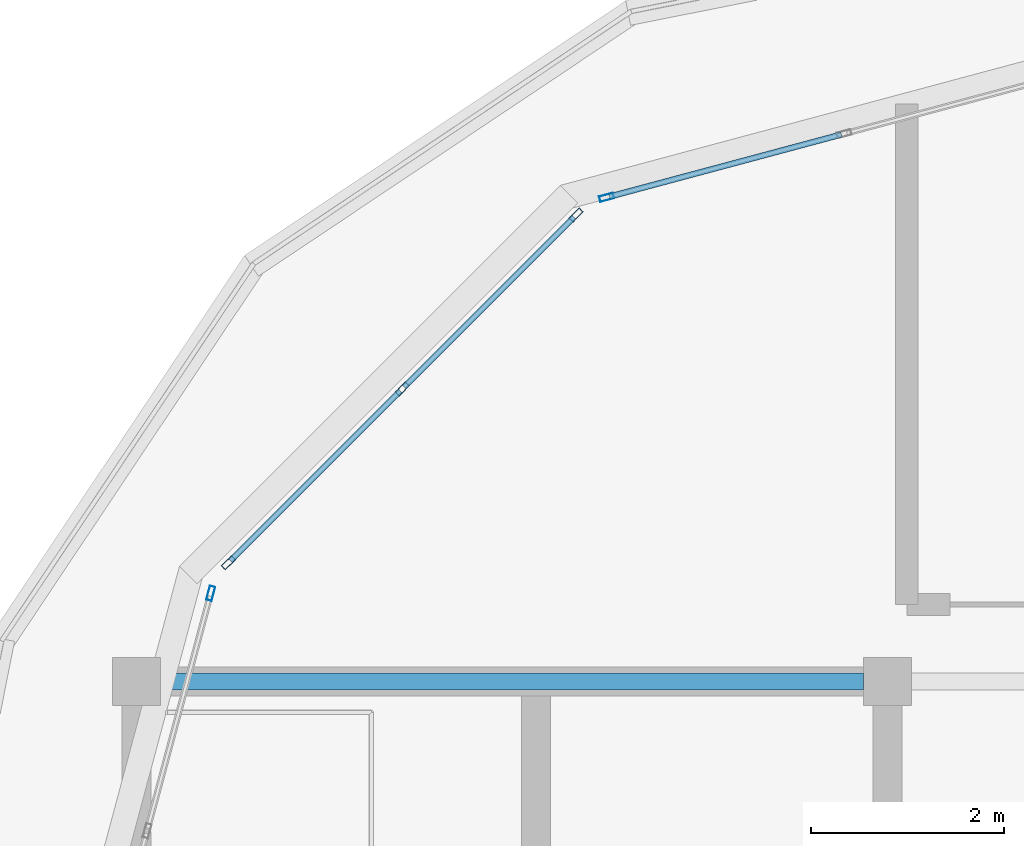
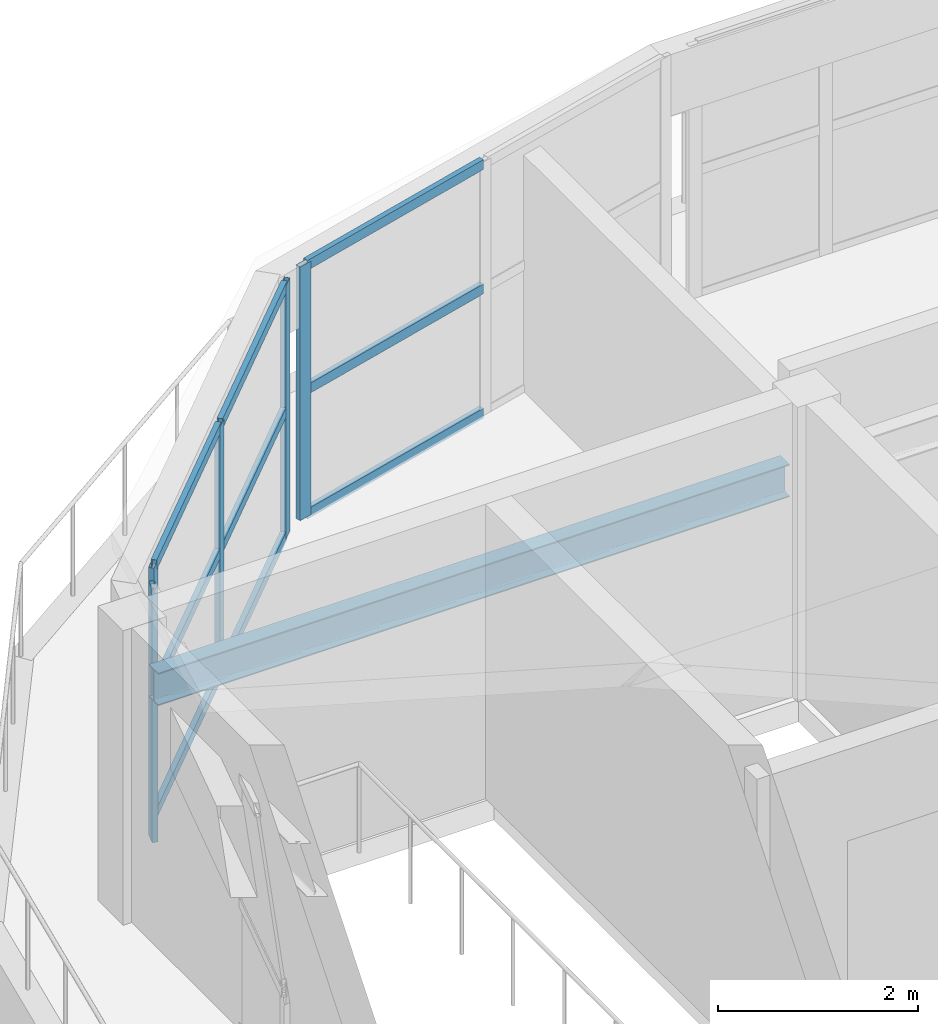
# One storey, part 9 of 15: 14 members, 1 beam, 3 elements without a shape of their own.
"""IFC4 building model written with IfcOpenShell, lengths in metres."""

from ifc_helpers import new_model, si_unit, direction, frame, origin, origin_2d, place, context, subcontext, project, spatial, hollow_rectangle, i_section, extrude, material, layer, layer_set, material_profile, profile_set, type_object, element, aggregate, save


model = new_model("IFC4")

# Units and contexts
model_context = context("Model", 3, precision=1e-05, world=origin(), true_north=direction((0.0, 1.0)))
body_context = subcontext(model_context, "Body", "Model", "MODEL_VIEW")
ifc_project = project(units=[si_unit("LENGTHUNIT", "METRE"), si_unit("AREAUNIT", "SQUARE_METRE"), si_unit("VOLUMEUNIT", "CUBIC_METRE"), si_unit("PLANEANGLEUNIT", "RADIAN"), si_unit("MASSUNIT", "GRAM", prefix="KILO")], contexts=[model_context])

# Site, building, storey
site_placement = place(None, origin())
site = spatial("IfcSite", under=ifc_project, at=site_placement, CompositionType="ELEMENT")
building_placement = place(site_placement, origin())
building = spatial("IfcBuilding", under=site, at=building_placement, Name="Zizhar Promenade General Hospital", CompositionType="ELEMENT")
storey_placement = place(building_placement, frame((0.0, 0.0, 43.199951171875)))
storey = spatial("IfcBuildingStorey", under=building, at=storey_placement, Name="Roof", CompositionType="ELEMENT", Elevation=43.199951171875)

# Beam
ifc_material_1 = material(Name="Steel S355", Category="steel")
ifc_material_profile_1 = material_profile(ifc_material_1, i_section(OverallWidth=0.179931640625, OverallDepth=0.39990234375, WebThickness=0.008544921875, FlangeThickness=0.013427734375, FilletRadius=0.02099609375, at=origin_2d()))
ifc_profile_set_1 = profile_set([ifc_material_profile_1], Name="Steel S355")
beam_type = type_object("IfcBeamType", Name="BM-STL-IPE400", PredefinedType="JOIST", material=ifc_profile_set_1)
beam_placement = place(storey_placement, frame((47.050048828125, 16.800048828125, 2.610107421875), z_axis=(1.0, 0.0, 0.0), x_axis=(0.0, 1.0, 0.0)))
element("IfcBeam", 1, at=beam_placement, inside=storey, type_object=beam_type, Name="Grid Beam X Roof (6-2)", PredefinedType="JOIST", context=body_context, shape_type="SweptSolid", body=[
    extrude(i_section(OverallWidth=0.179931640625, OverallDepth=0.39990234375, WebThickness=0.008544921875, FlangeThickness=0.013427734375, FilletRadius=0.02099609375, at=origin_2d()), origin(), (0.0, 0.0, 1.0), 7.300048828125),
])

# Curtain wall, member
ifc_material_2 = material(Name="Anodised aluminium 6063-T6 and low-E glass", Category="aluminium")
ifc_layer = layer(ifc_material_2, 0.159912109375)
ifc_layer_set = layer_set([ifc_layer], Name="Anodised aluminium 6063-T6 and low-E glass")
curtain_wall_type = type_object("IfcCurtainWallType", Name="CW-WARD-ARC", PredefinedType="NOTDEFINED", material=ifc_layer_set)
curtain_wall_1_placement = place(storey_placement, origin())
curtain_wall_1 = element("IfcCurtainWall", 2, at=curtain_wall_1_placement, inside=storey, type_object=curtain_wall_type, Name="Rooftop Pillow Crown Glazing 05", PredefinedType="NOTDEFINED")
ifc_material_3 = material(Name="Anodised aluminium 6063-T6", Category="aluminium")
ifc_material_profile_2 = material_profile(ifc_material_3, hollow_rectangle(XDim=0.06005859375, YDim=0.14990234375, WallThickness=0.00390625, at=origin_2d()))
ifc_profile_set_2 = profile_set([ifc_material_profile_2], Name="Anodised aluminium 6063-T6")
member_type_1 = type_object("IfcMemberType", Name="CWM-ALU-150x60", PredefinedType="MULLION", material=ifc_profile_set_2)
member_1_placement = place(storey_placement, frame((51.68359375, 21.8291015625, 0.0), z_axis=(0.0, 0.0, 1.0), x_axis=(-0.258812829994, 0.965927491601, 0.0)))
member_1 = element("IfcMember", 3, at=member_1_placement, type_object=member_type_1, Name="CW-12 mullion 1", PredefinedType="MULLION", context=body_context, shape_type="SweptSolid", body=[
    extrude(hollow_rectangle(XDim=0.06005859375, YDim=0.14990234375, WallThickness=0.00390625, at=origin_2d()), origin(), (0.0, 0.0, 1.0), 3.10009765625),
])

# Curtain wall, members
curtain_wall_2_placement = place(storey_placement, origin())
curtain_wall_2 = element("IfcCurtainWall", 4, at=curtain_wall_2_placement, inside=storey, type_object=curtain_wall_type, Name="Rooftop Pillow Crown Glazing 06", PredefinedType="NOTDEFINED")
member_2_placement = place(storey_placement, frame((47.75439453125, 18.034423828125, 0.0), z_axis=(0.0, 0.0, 1.0), x_axis=(-0.707106781187, 0.707106781187, 0.0)))
member_2 = element("IfcMember", 5, at=member_2_placement, type_object=member_type_1, Name="CW-12 mullion 1", PredefinedType="MULLION", context=body_context, shape_type="SweptSolid", body=[
    extrude(hollow_rectangle(XDim=0.06005859375, YDim=0.14990234375, WallThickness=0.00390625, at=origin_2d()), origin(), (0.0, 0.0, 1.0), 3.10009765625),
])
member_3_placement = place(storey_placement, frame((49.56005859375, 19.83984375, 0.0), z_axis=(0.0, 0.0, 1.0), x_axis=(-0.707106781187, 0.707106781187, 0.0)))
member_3 = element("IfcMember", 6, at=member_3_placement, type_object=member_type_1, Name="CW-12 mullion 2", PredefinedType="MULLION", context=body_context, shape_type="SweptSolid", body=[
    extrude(hollow_rectangle(XDim=0.06005859375, YDim=0.14990234375, WallThickness=0.00390625, at=origin_2d()), origin(), (0.0, 0.0, 1.0), 3.10009765625),
])
member_4_placement = place(storey_placement, frame((51.36572265625, 21.6455078125, 0.0), z_axis=(0.0, 0.0, 1.0), x_axis=(-0.707106781187, 0.707106781187, 0.0)))
member_4 = element("IfcMember", 7, at=member_4_placement, type_object=member_type_1, Name="CW-12 mullion 3", PredefinedType="MULLION", context=body_context, shape_type="SweptSolid", body=[
    extrude(hollow_rectangle(XDim=0.06005859375, YDim=0.14990234375, WallThickness=0.00390625, at=origin_2d()), origin(), (0.0, 0.0, 1.0), 3.10009765625),
])

# Curtain wall, member
curtain_wall_3_placement = place(storey_placement, origin())
curtain_wall_3 = element("IfcCurtainWall", 8, at=curtain_wall_3_placement, inside=storey, type_object=curtain_wall_type, Name="Rooftop Pillow Crown Glazing 07", PredefinedType="NOTDEFINED")
member_5_placement = place(storey_placement, frame((47.571044921875, 17.716552734375, 0.0), z_axis=(0.0, 0.0, 1.0), x_axis=(-0.965927491601, 0.258812829994, 0.0)))
member_5 = element("IfcMember", 9, at=member_5_placement, type_object=member_type_1, Name="CW-12 mullion 3", PredefinedType="MULLION", context=body_context, shape_type="SweptSolid", body=[
    extrude(hollow_rectangle(XDim=0.06005859375, YDim=0.14990234375, WallThickness=0.00390625, at=origin_2d()), origin(), (0.0, 0.0, 1.0), 3.10009765625),
])
aggregate(curtain_wall_3, [member_5])

# Member
ifc_material_4 = material(Name="Anodised aluminium 6063-T6", Category="aluminium")
ifc_material_profile_3 = material_profile(ifc_material_4, hollow_rectangle(XDim=0.06005859375, YDim=0.1201171875, WallThickness=0.00390625, at=origin_2d()))
ifc_profile_set_3 = profile_set([ifc_material_profile_3], Name="Anodised aluminium 6063-T6")
member_type_2 = type_object("IfcMemberType", Name="CWT-ALU-120x60", PredefinedType="USERDEFINED", material=ifc_profile_set_3)
member_6_placement = place(storey_placement, frame((51.71240234375, 21.8369140625, 0.030029296875), z_axis=(0.965940185955, 0.258765448153, 0.0), x_axis=(-0.258765448153, 0.965940185955, 0.0)))
member_6 = element("IfcMember", 10, at=member_6_placement, type_object=member_type_2, Name="CW-12 transom 1.1", ObjectType="TRANSOM", PredefinedType="USERDEFINED", context=body_context, shape_type="SweptSolid", body=[
    extrude(hollow_rectangle(XDim=0.06005859375, YDim=0.1201171875, WallThickness=0.00390625, at=origin_2d()), origin(), (0.0, 0.0, 1.0), 2.49365234375),
])

member_7_placement = place(storey_placement, frame((51.71240234375, 21.8369140625, 1.550048828125), z_axis=(0.965940185955, 0.258765448153, 0.0), x_axis=(-0.258765448153, 0.965940185955, 0.0)))
member_7 = element("IfcMember", 11, at=member_7_placement, type_object=member_type_2, Name="CW-12 transom 1.2", ObjectType="TRANSOM", PredefinedType="USERDEFINED", context=body_context, shape_type="SweptSolid", body=[
    extrude(hollow_rectangle(XDim=0.06005859375, YDim=0.1201171875, WallThickness=0.00390625, at=origin_2d()), origin(), (0.0, 0.0, 1.0), 2.49365234375),
])

member_8_placement = place(storey_placement, frame((51.71240234375, 21.8369140625, 3.070068359375), z_axis=(0.965940185955, 0.258765448153, 0.0), x_axis=(-0.258765448153, 0.965940185955, 0.0)))
member_8 = element("IfcMember", 12, at=member_8_placement, type_object=member_type_2, Name="CW-12 transom 1.3", ObjectType="TRANSOM", PredefinedType="USERDEFINED", context=body_context, shape_type="SweptSolid", body=[
    extrude(hollow_rectangle(XDim=0.06005859375, YDim=0.1201171875, WallThickness=0.00390625, at=origin_2d()), origin(), (0.0, 0.0, 1.0), 2.49365234375),
])

aggregate(curtain_wall_1, [member_1, member_6, member_7, member_8])

member_9_placement = place(storey_placement, frame((47.775634765625, 18.055419921875, 0.030029296875), z_axis=(0.707057827829, 0.707155731156, 0.0), x_axis=(-0.707155731156, 0.707057827829, 0.0)))
member_9 = element("IfcMember", 13, at=member_9_placement, type_object=member_type_2, Name="CW-12 transom 1.1", ObjectType="TRANSOM", PredefinedType="USERDEFINED", context=body_context, shape_type="SweptSolid", body=[
    extrude(hollow_rectangle(XDim=0.06005859375, YDim=0.1201171875, WallThickness=0.00390625, at=origin_2d()), origin(), (0.0, 0.0, 1.0), 2.49365234375),
])

member_10_placement = place(storey_placement, frame((47.775634765625, 18.055419921875, 1.550048828125), z_axis=(0.707057827829, 0.707155731156, 0.0), x_axis=(-0.707155731156, 0.707057827829, 0.0)))
member_10 = element("IfcMember", 14, at=member_10_placement, type_object=member_type_2, Name="CW-12 transom 1.2", ObjectType="TRANSOM", PredefinedType="USERDEFINED", context=body_context, shape_type="SweptSolid", body=[
    extrude(hollow_rectangle(XDim=0.06005859375, YDim=0.1201171875, WallThickness=0.00390625, at=origin_2d()), origin(), (0.0, 0.0, 1.0), 2.49365234375),
])

member_11_placement = place(storey_placement, frame((47.775634765625, 18.055419921875, 3.070068359375), z_axis=(0.707057827829, 0.707155731156, 0.0), x_axis=(-0.707155731156, 0.707057827829, 0.0)))
member_11 = element("IfcMember", 15, at=member_11_placement, type_object=member_type_2, Name="CW-12 transom 1.3", ObjectType="TRANSOM", PredefinedType="USERDEFINED", context=body_context, shape_type="SweptSolid", body=[
    extrude(hollow_rectangle(XDim=0.06005859375, YDim=0.1201171875, WallThickness=0.00390625, at=origin_2d()), origin(), (0.0, 0.0, 1.0), 2.49365234375),
])

member_12_placement = place(storey_placement, frame((49.581298828125, 19.861083984375, 0.030029296875), z_axis=(0.707106781187, 0.707106781187, 0.0), x_axis=(-0.707106781187, 0.707106781187, 0.0)))
member_12 = element("IfcMember", 16, at=member_12_placement, type_object=member_type_2, Name="CW-12 transom 2.1", ObjectType="TRANSOM", PredefinedType="USERDEFINED", context=body_context, shape_type="SweptSolid", body=[
    extrude(hollow_rectangle(XDim=0.06005859375, YDim=0.1201171875, WallThickness=0.00390625, at=origin_2d()), origin(), (0.0, 0.0, 1.0), 2.493408203125),
])

member_13_placement = place(storey_placement, frame((49.581298828125, 19.861083984375, 1.550048828125), z_axis=(0.707106781187, 0.707106781187, 0.0), x_axis=(-0.707106781187, 0.707106781187, 0.0)))
member_13 = element("IfcMember", 17, at=member_13_placement, type_object=member_type_2, Name="CW-12 transom 2.2", ObjectType="TRANSOM", PredefinedType="USERDEFINED", context=body_context, shape_type="SweptSolid", body=[
    extrude(hollow_rectangle(XDim=0.06005859375, YDim=0.1201171875, WallThickness=0.00390625, at=origin_2d()), origin(), (0.0, 0.0, 1.0), 2.493408203125),
])

member_14_placement = place(storey_placement, frame((49.581298828125, 19.861083984375, 3.070068359375), z_axis=(0.707106781187, 0.707106781187, 0.0), x_axis=(-0.707106781187, 0.707106781187, 0.0)))
member_14 = element("IfcMember", 18, at=member_14_placement, type_object=member_type_2, Name="CW-12 transom 2.3", ObjectType="TRANSOM", PredefinedType="USERDEFINED", context=body_context, shape_type="SweptSolid", body=[
    extrude(hollow_rectangle(XDim=0.06005859375, YDim=0.1201171875, WallThickness=0.00390625, at=origin_2d()), origin(), (0.0, 0.0, 1.0), 2.493408203125),
])

aggregate(curtain_wall_2, [member_2, member_3, member_4, member_9, member_10, member_11, member_12, member_13, member_14])

save(model, "model.ifc")
